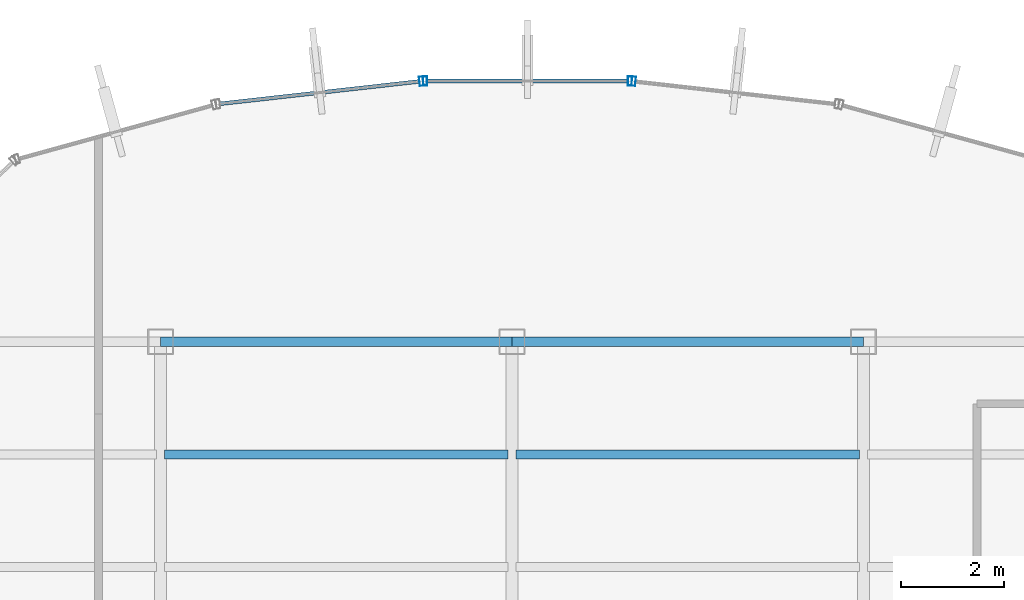
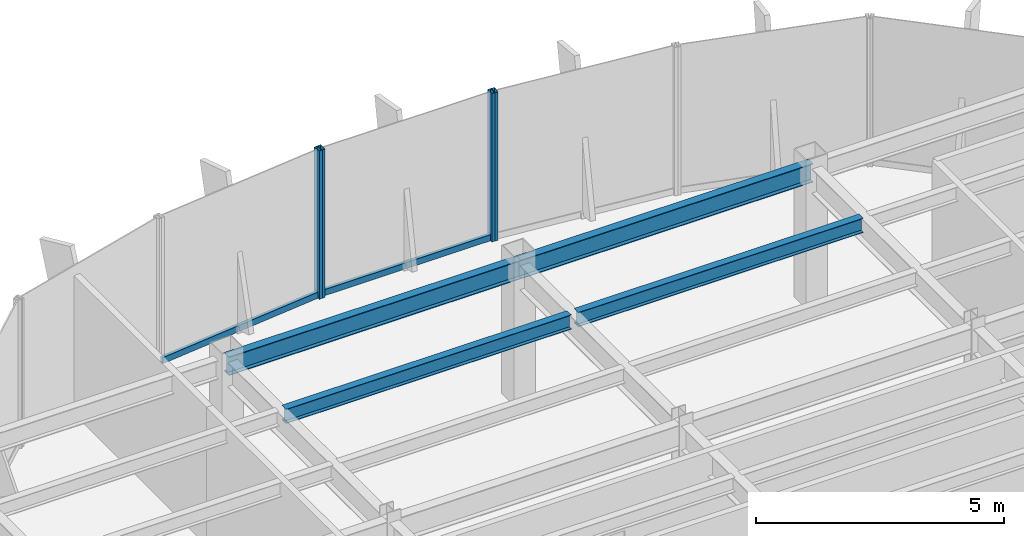
# One storey, part 13 of 22: 6 members, 4 beams, 3 elements without a shape of their own.
"""IFC4 building model written with IfcOpenShell, lengths in metres."""

from ifc_helpers import new_model, si_unit, derived_unit, direction, frame, origin, origin_2d, place, context, subcontext, project, spatial, hollow_rectangle, i_section, extrude, source, transform, mapped, material, material_profile, profile_set, type_object, element, aggregate, save


model = new_model("IFC4")

# Units and contexts
model_context = context("Model", 3, precision=1e-05, world=origin(), true_north=direction((0.0, 1.0)))
body_context = subcontext(model_context, "Body", "Model", "MODEL_VIEW")
ifc_project = project(units=[si_unit("LENGTHUNIT", "METRE"), si_unit("AREAUNIT", "SQUARE_METRE"), si_unit("VOLUMEUNIT", "CUBIC_METRE"), si_unit("PLANEANGLEUNIT", "RADIAN"), si_unit("MASSUNIT", "GRAM", prefix="KILO"), derived_unit("THERMALTRANSMITTANCEUNIT", [(si_unit("POWERUNIT", "WATT"), 1), (si_unit("LENGTHUNIT", "METRE"), -2), (si_unit("THERMODYNAMICTEMPERATUREUNIT", "KELVIN"), -1)])], contexts=[model_context])

# Site, building, storey
site_placement = place(None, origin())
site = spatial("IfcSite", under=ifc_project, at=site_placement, CompositionType="ELEMENT")
building_placement = place(site_placement, origin())
building = spatial("IfcBuilding", under=site, at=building_placement, Name="Skarnbrae Concourse Arena and Tower", CompositionType="ELEMENT")
storey_placement = place(building_placement, frame((0.0, 0.0, 221.449951171875)))
storey = spatial("IfcBuildingStorey", under=building, at=storey_placement, Name="L57", CompositionType="ELEMENT", Elevation=221.449951171875)

# Beams
ifc_material_1 = material(Name="Steel CSA G40.21 350W", Category="steel")
ifc_material_profile_1 = material_profile(ifc_material_1, i_section(OverallWidth=0.19091796875, OverallDepth=0.4599609375, WebThickness=0.010009765625, FlangeThickness=0.01611328125, at=origin_2d()), Name="W460X82")
ifc_profile_set_1 = profile_set([ifc_material_profile_1], Name="Steel CSA G40.21 350W")
beam_type_1 = type_object("IfcBeamType", Name="BM-SPAN-W460X82", PredefinedType="SPANDREL", material=ifc_profile_set_1)
shared_shape_1 = source(origin(), body_context, "Body", "SweptSolid", [
    extrude(i_section(OverallWidth=0.19091796875, OverallDepth=0.4599609375, WebThickness=0.010009765625, FlangeThickness=0.01611328125, at=origin_2d()), origin(), (0.0, 0.0, 1.0), 6.800048828125),
])
for number, where, z_axis, x_axis, name in (
    (1, (14.39990234375, 34.39990234375, 3.170166015625), (1.0, 0.0, 0.0), (0.0, 1.0, 0.0), "L57 Perimeter spandrel Y34.4-2"),
    (2, (21.199951171875, 34.39990234375, 3.170166015625), (1.0, 0.0, 0.0), (0.0, 1.0, 0.0), "L57 Perimeter spandrel Y34.4-3"),
):
    element("IfcBeam", number, at=place(storey_placement, frame(where, z_axis=z_axis, x_axis=x_axis)), inside=storey, type_object=beam_type_1, Name=name, PredefinedType="SPANDREL", context=body_context, shape_type="MappedRepresentation", body=[
        mapped(shared_shape_1, transform((0.0, 0.0, 0.0))),
    ])
ifc_material_profile_2 = material_profile(ifc_material_1, i_section(OverallWidth=0.1708984375, OverallDepth=0.35498046875, WebThickness=0.007080078125, FlangeThickness=0.01171875, at=origin_2d()), Name="W360X51")
ifc_profile_set_2 = profile_set([ifc_material_profile_2], Name="Steel CSA G40.21 350W")
beam_type_2 = type_object("IfcBeamType", Name="BM-JOIST-W360X51", PredefinedType="JOIST", material=ifc_profile_set_2)
shared_shape_2 = source(origin(), body_context, "Body", "SweptSolid", [
    extrude(i_section(OverallWidth=0.1708984375, OverallDepth=0.35498046875, WebThickness=0.007080078125, FlangeThickness=0.01171875, at=origin_2d()), origin(), (0.0, 0.0, 1.0), 6.64013671875),
])
beam_1_placement = place(storey_placement, frame((14.47998046875, 32.221923828125, 3.22265625), z_axis=(1.0, 0.0, 0.0), x_axis=(0.0, 1.0, 0.0)))
element("IfcBeam", 3, at=beam_1_placement, inside=storey, type_object=beam_type_2, Name="L57 Secondary floor joist 3.2.2", PredefinedType="JOIST", context=body_context, shape_type="MappedRepresentation", body=[
    mapped(shared_shape_2, transform((0.0, 0.0, 0.0))),
])
shared_shape_3 = source(origin(), body_context, "Body", "SweptSolid", [
    extrude(i_section(OverallWidth=0.1708984375, OverallDepth=0.35498046875, WebThickness=0.007080078125, FlangeThickness=0.01171875, at=origin_2d()), origin(), (0.0, 0.0, 1.0), 6.639892578125),
])
beam_2_placement = place(storey_placement, frame((21.280029296875, 32.221923828125, 3.22265625), z_axis=(1.0, 0.0, 0.0), x_axis=(0.0, 1.0, 0.0)))
element("IfcBeam", 4, at=beam_2_placement, inside=storey, type_object=beam_type_2, Name="L57 Secondary floor joist 3.2.3", PredefinedType="JOIST", context=body_context, shape_type="MappedRepresentation", body=[
    mapped(shared_shape_3, transform((0.0, 0.0, 0.0))),
])

# Curtain wall, member
ifc_material_2 = material(Name="Bronze anodised aluminium 6063-T6", Category="aluminium")
curtain_wall_type = type_object("IfcCurtainWallType", Name="CW-SYS-05-HIGHZONE", PredefinedType="USERDEFINED", material=ifc_material_2)
curtain_wall_1_placement = place(storey_placement, origin())
curtain_wall_1 = element("IfcCurtainWall", 5, at=curtain_wall_1_placement, inside=storey, type_object=curtain_wall_type, Name="L57 Unitised curtain wall CW-L57-E12", ObjectType="UNITISED CURTAIN WALL", PredefinedType="USERDEFINED")
ifc_material_profile_3 = material_profile(ifc_material_2, hollow_rectangle(XDim=0.074951171875, YDim=0.14990234375, WallThickness=0.00390625, at=origin_2d()), Name="ALU-TRAN-75X150")
ifc_profile_set_3 = profile_set([ifc_material_profile_3], Name="Bronze anodised aluminium 6063-T6")
member_type_1 = type_object("IfcMemberType", Name="CWT-CW-05", PredefinedType="USERDEFINED", material=ifc_profile_set_3)
shared_shape_4 = source(origin(), body_context, "Body", "SweptSolid", [
    extrude(hollow_rectangle(XDim=0.074951171875, YDim=0.14990234375, WallThickness=0.00390625, at=origin_2d()), origin(), (0.0, 0.0, 1.0), 3.8837890625),
])
member_1_placement = place(storey_placement, frame((19.408203125, 39.438232421875, 0.074951171875), z_axis=(-0.993776714154, -0.111390495128, 0.0), x_axis=(0.111390495128, -0.993776714154, 0.0)))
member_1 = element("IfcMember", 6, at=member_1_placement, type_object=member_type_1, Name="CW-L57-E12 Transom 1", ObjectType="TRANSOM", PredefinedType="USERDEFINED", context=body_context, shape_type="MappedRepresentation", body=[
    mapped(shared_shape_4, transform((0.0, 0.0, 0.0))),
])

curtain_wall_2_placement = place(storey_placement, origin())
curtain_wall_2 = element("IfcCurtainWall", 7, at=curtain_wall_2_placement, inside=storey, type_object=curtain_wall_type, Name="L57 Unitised curtain wall CW-L57-E11", ObjectType="UNITISED CURTAIN WALL", PredefinedType="USERDEFINED")
shared_shape_5 = source(origin(), body_context, "Body", "SweptSolid", [
    extrude(hollow_rectangle(XDim=0.074951171875, YDim=0.14990234375, WallThickness=0.00390625, at=origin_2d()), origin(), (0.0, 0.0, 1.0), 3.88427734375),
])
member_2_placement = place(storey_placement, frame((23.442138671875, 39.44677734375, 0.074951171875), z_axis=(-1.0, 0.0, 0.0), x_axis=(0.0, -1.0, 0.0)))
member_2 = element("IfcMember", 8, at=member_2_placement, type_object=member_type_1, Name="CW-L57-E11 Transom 1", ObjectType="TRANSOM", PredefinedType="USERDEFINED", context=body_context, shape_type="MappedRepresentation", body=[
    mapped(shared_shape_5, transform((0.0, 0.0, 0.0))),
])

curtain_wall_3_placement = place(storey_placement, origin())
curtain_wall_3 = element("IfcCurtainWall", 9, at=curtain_wall_3_placement, inside=storey, type_object=curtain_wall_type, Name="L57 Unitised curtain wall CW-L57-E10", ObjectType="UNITISED CURTAIN WALL", PredefinedType="USERDEFINED")
ifc_material_profile_4 = material_profile(ifc_material_2, hollow_rectangle(XDim=0.074951171875, YDim=0.179931640625, WallThickness=0.00390625, at=origin_2d()), Name="ALU-MULL-75X180")
ifc_profile_set_4 = profile_set([ifc_material_profile_4], Name="Bronze anodised aluminium 6063-T6")
member_type_2 = type_object("IfcMemberType", Name="CWM-CW-05", PredefinedType="MULLION", material=ifc_profile_set_4)
shared_shape_6 = source(origin(), body_context, "Body", "SweptSolid", [
    extrude(hollow_rectangle(XDim=0.074951171875, YDim=0.179931640625, WallThickness=0.00390625, at=origin_2d()), origin(), (0.0, 0.0, 1.0), 3.650146484375),
])
member_3_placement = place(storey_placement, frame((23.554443359375, 39.4423828125, 0.0), z_axis=(0.0, 0.0, 1.0), x_axis=(-0.993768891873, 0.111460259941, 0.0)))
member_3 = element("IfcMember", 10, at=member_3_placement, type_object=member_type_2, Name="CW-L57-E10 Mullion 2", PredefinedType="MULLION", context=body_context, shape_type="MappedRepresentation", body=[
    mapped(shared_shape_6, transform((0.0, 0.0, 0.0))),
])
aggregate(curtain_wall_3, [member_3])

# Member
member_4_placement = place(storey_placement, frame((23.479736328125, 39.44677734375, 0.0), z_axis=(0.0, 0.0, 1.0), x_axis=(-1.0, 0.0, 0.0)))
member_4 = element("IfcMember", 11, at=member_4_placement, type_object=member_type_2, Name="CW-L57-E11 Mullion 1", PredefinedType="MULLION", context=body_context, shape_type="MappedRepresentation", body=[
    mapped(shared_shape_6, transform((0.0, 0.0, 0.0))),
])

member_5_placement = place(storey_placement, frame((19.520263671875, 39.44677734375, 0.0), z_axis=(0.0, 0.0, 1.0), x_axis=(-1.0, 0.0, 0.0)))
member_5 = element("IfcMember", 12, at=member_5_placement, type_object=member_type_2, Name="CW-L57-E11 Mullion 2", PredefinedType="MULLION", context=body_context, shape_type="MappedRepresentation", body=[
    mapped(shared_shape_6, transform((0.0, 0.0, 0.0))),
])

aggregate(curtain_wall_2, [member_4, member_5, member_2])

member_6_placement = place(storey_placement, frame((19.445556640625, 39.4423828125, 0.0), z_axis=(0.0, 0.0, 1.0), x_axis=(-0.993768891873, -0.111460259941, 0.0)))
member_6 = element("IfcMember", 13, at=member_6_placement, type_object=member_type_2, Name="CW-L57-E12 Mullion 1", PredefinedType="MULLION", context=body_context, shape_type="MappedRepresentation", body=[
    mapped(shared_shape_6, transform((0.0, 0.0, 0.0))),
])

aggregate(curtain_wall_1, [member_6, member_1])

save(model, "model.ifc")
